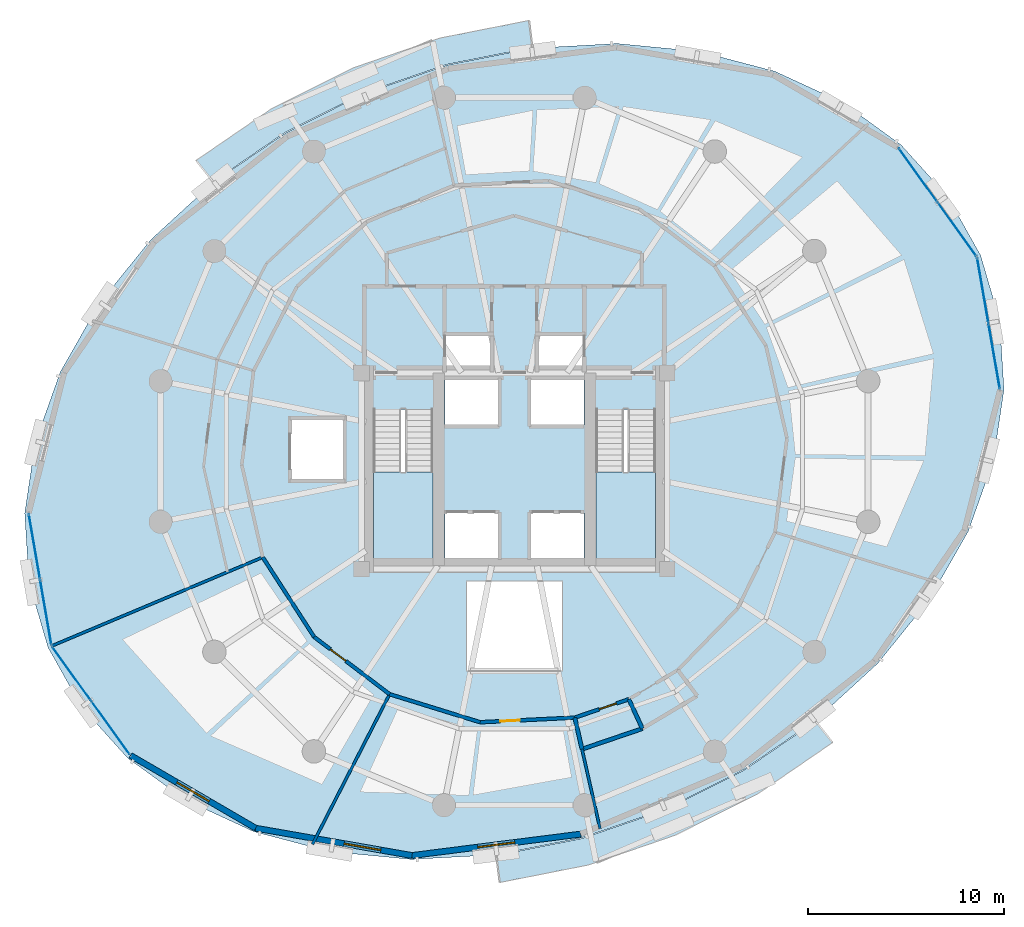
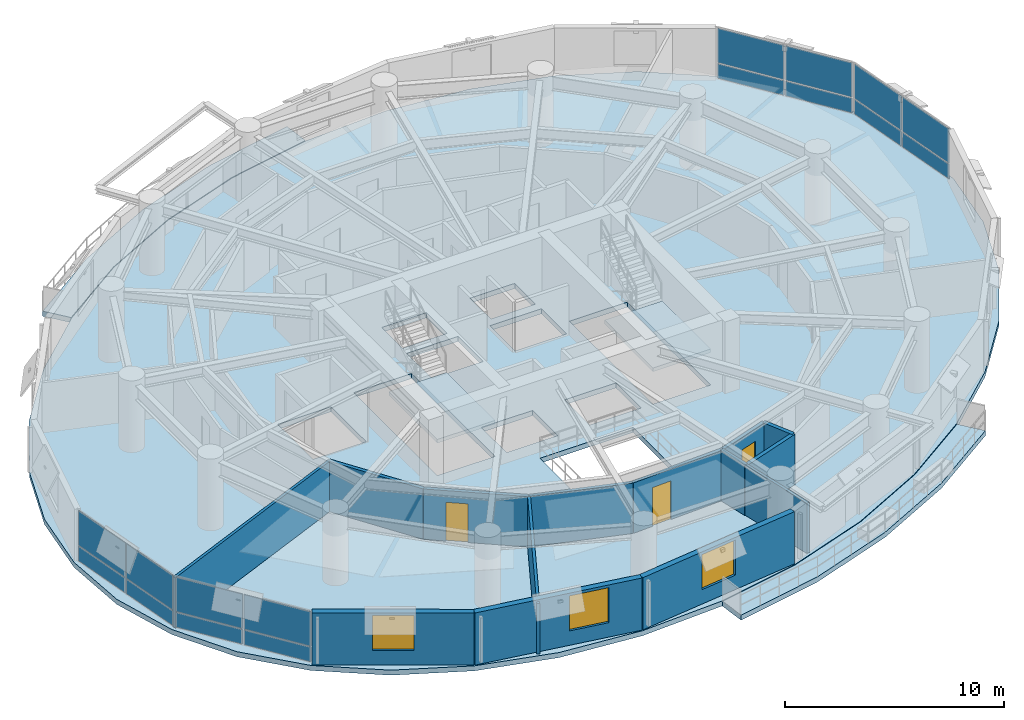
# One storey, part 9 of 14: 16 plates, 14 walls, 5 slabs, 3 doors, 3 windows, 6 openings, 6 elements without a shape of their own.
"""IFC4 building model written with IfcOpenShell, lengths in metres."""

from ifc_helpers import new_model, si_unit, direction, frame, frame_2d, origin, origin_2d, place, context, subcontext, project, spatial, polyline, rectangle, outline, extrude, material, layer, layer_set, type_object, element, fill, aggregate, save


model = new_model("IFC4")

# Units and contexts
model_context = context("Model", 3, precision=1e-05, world=origin(), true_north=direction((0.0, 1.0)))
body_context = subcontext(model_context, "Body", "Model", "MODEL_VIEW")
ifc_project = project(units=[si_unit("LENGTHUNIT", "METRE"), si_unit("AREAUNIT", "SQUARE_METRE"), si_unit("VOLUMEUNIT", "CUBIC_METRE"), si_unit("PLANEANGLEUNIT", "RADIAN"), si_unit("MASSUNIT", "GRAM", prefix="KILO"), si_unit("THERMODYNAMICTEMPERATUREUNIT", "KELVIN"), si_unit("POWERUNIT", "WATT")], contexts=[model_context])

# Site, building, storey
site_placement = place(None, origin())
site = spatial("IfcSite", under=ifc_project, at=site_placement, CompositionType="ELEMENT")
building_placement = place(site_placement, origin())
building = spatial("IfcBuilding", under=site, at=building_placement, Name="Ocrelia Relay Tower", CompositionType="ELEMENT")
storey_placement = place(building_placement, frame((0.0, 0.0, 129.800048828125)))
storey = spatial("IfcBuildingStorey", under=building, at=storey_placement, Name="L30", CompositionType="ELEMENT", Elevation=129.800048828125)

# Curtain wall, plates
ifc_material_1 = material(Name="Aluminium and solar-control low-E glass", Category="aluminium")
ifc_layer_1 = layer(ifc_material_1, 0.179931640625, Name="Aluminium and solar-control low-E glass")
ifc_layer_set_1 = layer_set([ifc_layer_1], Name="Aluminium and solar-control low-E glass")
curtain_wall_type = type_object("IfcCurtainWallType", Name="CW-SYS-Z2-SWIT", PredefinedType="NOTDEFINED", material=ifc_layer_set_1)
curtain_wall_1_placement = place(storey_placement, origin())
curtain_wall_1 = element("IfcCurtainWall", 1, at=curtain_wall_1_placement, inside=storey, type_object=curtain_wall_type, Name="L30 Elliptical Tower Curtain Wall Bay 01", PredefinedType="NOTDEFINED")
ifc_material_2 = material(Name="Clear double-glazed low-E glass", Category="glass")
ifc_layer_2 = layer(ifc_material_2, 0.031982421875, Name="Clear double-glazed low-E glass")
ifc_layer_set_2 = layer_set([ifc_layer_2], Name="Clear double-glazed low-E glass")
plate_type = type_object("IfcPlateType", Name="CW-SYS-Z2-SWIT-PNL", PredefinedType="CURTAIN_PANEL", material=ifc_layer_set_2)
plate_1_placement = place(storey_placement, frame((56.584228515625, 37.330078125, 0.059814453125), z_axis=(0.0, 0.0, 1.0), x_axis=(-0.58452681603, 0.811374390366, 0.0)))
plate_1 = element("IfcPlate", 2, at=plate_1_placement, type_object=plate_type, Name="CW-Z2 panel 1.1", PredefinedType="CURTAIN_PANEL", context=body_context, shape_type="SweptSolid", body=[
    extrude(rectangle(XDim=3.33447265625, YDim=0.031982421875, at=origin_2d()), origin(), (0.0, 0.0, 1.0), 0.81005859375),
])
plate_2_placement = place(storey_placement, frame((56.584228515625, 37.330078125, 0.93017578125), z_axis=(0.0, 0.0, 1.0), x_axis=(-0.58452681603, 0.811374390366, 0.0)))
plate_2 = element("IfcPlate", 3, at=plate_2_placement, type_object=plate_type, Name="CW-Z2 panel 1.2", PredefinedType="CURTAIN_PANEL", context=body_context, shape_type="SweptSolid", body=[
    extrude(rectangle(XDim=3.33447265625, YDim=0.031982421875, at=origin_2d()), origin(), (0.0, 0.0, 1.0), 1.909912109375),
])
plate_3_placement = place(storey_placement, frame((54.59423828125, 40.09228515625, 0.059814453125), z_axis=(0.0, 0.0, 1.0), x_axis=(-0.58452681603, 0.811374390366, 0.0)))
plate_3 = element("IfcPlate", 4, at=plate_3_placement, type_object=plate_type, Name="CW-Z2 panel 2.1", PredefinedType="CURTAIN_PANEL", context=body_context, shape_type="SweptSolid", body=[
    extrude(rectangle(XDim=3.33447265625, YDim=0.031982421875, at=origin_2d()), origin(), (0.0, 0.0, 1.0), 0.81005859375),
])
plate_4_placement = place(storey_placement, frame((54.59423828125, 40.09228515625, 0.93017578125), z_axis=(0.0, 0.0, 1.0), x_axis=(-0.58452681603, 0.811374390366, 0.0)))
plate_4 = element("IfcPlate", 5, at=plate_4_placement, type_object=plate_type, Name="CW-Z2 panel 2.2", PredefinedType="CURTAIN_PANEL", context=body_context, shape_type="SweptSolid", body=[
    extrude(rectangle(XDim=3.33447265625, YDim=0.031982421875, at=origin_2d()), origin(), (0.0, 0.0, 1.0), 1.909912109375),
])
aggregate(curtain_wall_1, [plate_1, plate_2, plate_3, plate_4])

curtain_wall_2_placement = place(storey_placement, origin())
curtain_wall_2 = element("IfcCurtainWall", 6, at=curtain_wall_2_placement, inside=storey, type_object=curtain_wall_type, Name="L30 Elliptical Tower Curtain Wall Bay 09", PredefinedType="NOTDEFINED")
plate_5_placement = place(storey_placement, frame((9.5224609375, 21.14599609375, 0.059814453125), z_axis=(0.0, 0.0, 1.0), x_axis=(0.170734411981, -0.985317086306, 0.0)))
plate_5 = element("IfcPlate", 7, at=plate_5_placement, type_object=plate_type, Name="CW-Z2 panel 1.1", PredefinedType="CURTAIN_PANEL", context=body_context, shape_type="SweptSolid", body=[
    extrude(rectangle(XDim=3.33447265625, YDim=0.031982421875, at=origin_2d()), origin(), (0.0, 0.0, 1.0), 0.81005859375),
])
plate_6_placement = place(storey_placement, frame((9.5224609375, 21.14599609375, 0.93017578125), z_axis=(0.0, 0.0, 1.0), x_axis=(0.170734411981, -0.985317086306, 0.0)))
plate_6 = element("IfcPlate", 8, at=plate_6_placement, type_object=plate_type, Name="CW-Z2 panel 1.2", PredefinedType="CURTAIN_PANEL", context=body_context, shape_type="SweptSolid", body=[
    extrude(rectangle(XDim=3.33447265625, YDim=0.031982421875, at=origin_2d()), origin(), (0.0, 0.0, 1.0), 1.909912109375),
])
plate_7_placement = place(storey_placement, frame((10.103759765625, 17.791259765625, 0.059814453125), z_axis=(0.0, 0.0, 1.0), x_axis=(0.170734411981, -0.985317086306, 0.0)))
plate_7 = element("IfcPlate", 9, at=plate_7_placement, type_object=plate_type, Name="CW-Z2 panel 2.1", PredefinedType="CURTAIN_PANEL", context=body_context, shape_type="SweptSolid", body=[
    extrude(rectangle(XDim=3.33447265625, YDim=0.031982421875, at=origin_2d()), origin(), (0.0, 0.0, 1.0), 0.81005859375),
])
plate_8_placement = place(storey_placement, frame((10.103759765625, 17.791259765625, 0.93017578125), z_axis=(0.0, 0.0, 1.0), x_axis=(0.170734411981, -0.985317086306, 0.0)))
plate_8 = element("IfcPlate", 10, at=plate_8_placement, type_object=plate_type, Name="CW-Z2 panel 2.2", PredefinedType="CURTAIN_PANEL", context=body_context, shape_type="SweptSolid", body=[
    extrude(rectangle(XDim=3.33447265625, YDim=0.031982421875, at=origin_2d()), origin(), (0.0, 0.0, 1.0), 1.909912109375),
])
aggregate(curtain_wall_2, [plate_5, plate_6, plate_7, plate_8])

curtain_wall_3_placement = place(storey_placement, origin())
curtain_wall_3 = element("IfcCurtainWall", 11, at=curtain_wall_3_placement, inside=storey, type_object=curtain_wall_type, Name="L30 Elliptical Tower Curtain Wall Bay 10", PredefinedType="NOTDEFINED")
plate_9_placement = place(storey_placement, frame((11.415771484375, 14.669921875, 0.059814453125), z_axis=(0.0, 0.0, 1.0), x_axis=(0.58452681603, -0.811374390366, 0.0)))
plate_9 = element("IfcPlate", 12, at=plate_9_placement, type_object=plate_type, Name="CW-Z2 panel 1.1", PredefinedType="CURTAIN_PANEL", context=body_context, shape_type="SweptSolid", body=[
    extrude(rectangle(XDim=3.33447265625, YDim=0.031982421875, at=origin_2d()), origin(), (0.0, 0.0, 1.0), 0.81005859375),
])
plate_10_placement = place(storey_placement, frame((11.415771484375, 14.669921875, 0.93017578125), z_axis=(0.0, 0.0, 1.0), x_axis=(0.58452681603, -0.811374390366, 0.0)))
plate_10 = element("IfcPlate", 13, at=plate_10_placement, type_object=plate_type, Name="CW-Z2 panel 1.2", PredefinedType="CURTAIN_PANEL", context=body_context, shape_type="SweptSolid", body=[
    extrude(rectangle(XDim=3.33447265625, YDim=0.031982421875, at=origin_2d()), origin(), (0.0, 0.0, 1.0), 1.909912109375),
])
plate_11_placement = place(storey_placement, frame((13.40576171875, 11.90771484375, 0.059814453125), z_axis=(0.0, 0.0, 1.0), x_axis=(0.58452681603, -0.811374390366, 0.0)))
plate_11 = element("IfcPlate", 14, at=plate_11_placement, type_object=plate_type, Name="CW-Z2 panel 2.1", PredefinedType="CURTAIN_PANEL", context=body_context, shape_type="SweptSolid", body=[
    extrude(rectangle(XDim=3.33447265625, YDim=0.031982421875, at=origin_2d()), origin(), (0.0, 0.0, 1.0), 0.81005859375),
])
plate_12_placement = place(storey_placement, frame((13.40576171875, 11.90771484375, 0.93017578125), z_axis=(0.0, 0.0, 1.0), x_axis=(0.58452681603, -0.811374390366, 0.0)))
plate_12 = element("IfcPlate", 15, at=plate_12_placement, type_object=plate_type, Name="CW-Z2 panel 2.2", PredefinedType="CURTAIN_PANEL", context=body_context, shape_type="SweptSolid", body=[
    extrude(rectangle(XDim=3.33447265625, YDim=0.031982421875, at=origin_2d()), origin(), (0.0, 0.0, 1.0), 1.909912109375),
])
aggregate(curtain_wall_3, [plate_9, plate_10, plate_11, plate_12])

curtain_wall_4_placement = place(storey_placement, origin())
curtain_wall_4 = element("IfcCurtainWall", 16, at=curtain_wall_4_placement, inside=storey, type_object=curtain_wall_type, Name="L30 Elliptical Tower Curtain Wall Bay 18", PredefinedType="NOTDEFINED")
plate_13_placement = place(storey_placement, frame((58.4775390625, 30.85400390625, 0.059814453125), z_axis=(0.0, 0.0, 1.0), x_axis=(-0.170734411981, 0.985317086306, 0.0)))
plate_13 = element("IfcPlate", 17, at=plate_13_placement, type_object=plate_type, Name="CW-Z2 panel 1.1", PredefinedType="CURTAIN_PANEL", context=body_context, shape_type="SweptSolid", body=[
    extrude(rectangle(XDim=3.33447265625, YDim=0.031982421875, at=origin_2d()), origin(), (0.0, 0.0, 1.0), 0.81005859375),
])
plate_14_placement = place(storey_placement, frame((58.4775390625, 30.85400390625, 0.93017578125), z_axis=(0.0, 0.0, 1.0), x_axis=(-0.170734411981, 0.985317086306, 0.0)))
plate_14 = element("IfcPlate", 18, at=plate_14_placement, type_object=plate_type, Name="CW-Z2 panel 1.2", PredefinedType="CURTAIN_PANEL", context=body_context, shape_type="SweptSolid", body=[
    extrude(rectangle(XDim=3.33447265625, YDim=0.031982421875, at=origin_2d()), origin(), (0.0, 0.0, 1.0), 1.909912109375),
])
plate_15_placement = place(storey_placement, frame((57.896240234375, 34.208740234375, 0.059814453125), z_axis=(0.0, 0.0, 1.0), x_axis=(-0.170734411981, 0.985317086306, 0.0)))
plate_15 = element("IfcPlate", 19, at=plate_15_placement, type_object=plate_type, Name="CW-Z2 panel 2.1", PredefinedType="CURTAIN_PANEL", context=body_context, shape_type="SweptSolid", body=[
    extrude(rectangle(XDim=3.33447265625, YDim=0.031982421875, at=origin_2d()), origin(), (0.0, 0.0, 1.0), 0.81005859375),
])
plate_16_placement = place(storey_placement, frame((57.896240234375, 34.208740234375, 0.93017578125), z_axis=(0.0, 0.0, 1.0), x_axis=(-0.170734411981, 0.985317086306, 0.0)))
plate_16 = element("IfcPlate", 20, at=plate_16_placement, type_object=plate_type, Name="CW-Z2 panel 2.2", PredefinedType="CURTAIN_PANEL", context=body_context, shape_type="SweptSolid", body=[
    extrude(rectangle(XDim=3.33447265625, YDim=0.031982421875, at=origin_2d()), origin(), (0.0, 0.0, 1.0), 1.909912109375),
])
aggregate(curtain_wall_4, [plate_13, plate_14, plate_15, plate_16])

# Slabs
ifc_material_3 = material(Name="Precast concrete C40/50", Category="concrete")
ifc_layer_3 = layer(ifc_material_3, 0.280029296875, Name="Precast concrete C40/50")
ifc_layer_set_3 = layer_set([ifc_layer_3], Name="Precast concrete C40/50")
slab_type_1 = type_object("IfcSlabType", Name="SL-BALC-280", PredefinedType="FLOOR", material=ifc_layer_set_3)
slab_1_placement = place(storey_placement, frame((0.0, 0.0, -0.280029296875)))
element("IfcSlab", 21, at=slab_1_placement, inside=storey, type_object=slab_type_1, Name="L30 Planted Loggia Balcony B1", PredefinedType="FLOOR", context=body_context, shape_type="SweptSolid", body=[
    extrude(outline(polyline([(34.9208984375, 46.601318359375), (32.743408203125, 46.1708984375), (30.56591796875, 45.74072265625), (26.3154296875, 44.280517578125), (22.29833984375, 42.265380859375), (20.467529296875, 41.0107421875), (18.63671875, 39.756103515625), (17.77001953125, 40.847412109375), (19.680419921875, 42.156494140625), (21.5908203125, 43.46533203125), (25.775634765625, 45.56494140625), (30.203857421875, 47.0859375), (32.4755859375, 47.534912109375), (34.747314453125, 47.984130859375), (34.9208984375, 46.601318359375)])), origin(), (0.0, 0.0, 1.0), 0.280029296875),
])
slab_2_placement = place(storey_placement, frame((0.0, 0.0, -0.280029296875)))
element("IfcSlab", 22, at=slab_2_placement, inside=storey, type_object=slab_type_1, Name="L30 Planted Loggia Balcony B2", PredefinedType="FLOOR", context=body_context, shape_type="SweptSolid", body=[
    extrude(outline(polyline([(33.0791015625, 5.398681640625), (35.256591796875, 5.828857421875), (37.43408203125, 6.25927734375), (41.6845703125, 7.719482421875), (45.70166015625, 9.734619140625), (47.532470703125, 10.9892578125), (49.36328125, 12.243896484375), (50.22998046875, 11.152587890625), (48.319580078125, 9.843505859375), (46.4091796875, 8.53466796875), (42.224365234375, 6.43505859375), (37.796142578125, 4.9140625), (35.5244140625, 4.46484375), (33.252685546875, 4.015869140625), (33.0791015625, 5.398681640625)])), origin(), (0.0, 0.0, 1.0), 0.280029296875),
])
ifc_material_4 = material(Name="Concrete C50/60", Category="concrete")
ifc_layer_4 = layer(ifc_material_4, 0.280029296875, Name="Concrete C50/60")
ifc_layer_set_4 = layer_set([ifc_layer_4], Name="Concrete C50/60")
slab_type_2 = type_object("IfcSlabType", Name="SL-FLR-280", PredefinedType="FLOOR", material=ifc_layer_set_4)
slab_3_placement = place(storey_placement, frame((0.0, 0.0, -0.280029296875)))
element("IfcSlab", 23, at=slab_3_placement, inside=storey, type_object=slab_type_2, Name="L30 Elliptical Tower Floor Slab", PredefinedType="FLOOR", context=body_context, shape_type="SweptSolid", body=[
    extrude(outline(polyline([(57.7841796875, 35.997802734375), (56.09033203125, 39.015625), (53.7255859375, 41.6376953125), (50.76123046875, 43.784912109375), (47.28759765625, 45.3916015625), (43.410400390625, 46.4091796875), (39.247314453125, 46.806396484375), (34.924560546875, 46.571533203125), (30.57373046875, 45.711669921875), (26.3271484375, 44.2529296875), (22.313720703125, 42.239501953125), (18.6552734375, 39.732666015625), (15.463134765625, 36.80859375), (12.834228515625, 33.555908203125), (10.848388671875, 30.073974609375), (9.56591796875, 26.468017578125), (9.02587890625, 22.847900390625), (9.244873046875, 19.323486328125), (10.2158203125, 16.002197265625), (11.90966796875, 12.984375), (14.2744140625, 10.3623046875), (17.23876953125, 8.215087890625), (20.71240234375, 6.6083984375), (24.589599609375, 5.5908203125), (28.752685546875, 5.193603515625), (33.075439453125, 5.428466796875), (37.42626953125, 6.288330078125), (41.6728515625, 7.7470703125), (45.686279296875, 9.760498046875), (49.3447265625, 12.267333984375), (52.536865234375, 15.19140625), (55.165771484375, 18.444091796875), (57.151611328125, 21.926025390625), (58.43408203125, 25.531982421875), (58.97412109375, 29.152099609375), (58.755126953125, 32.676513671875), (57.7841796875, 35.997802734375)]), holes=[polyline([(26.81005859375, 28.14990234375), (26.81005859375, 20.550048828125), (29.85009765625, 20.550048828125), (29.85009765625, 28.14990234375), (26.81005859375, 28.14990234375)]), polyline([(38.159912109375, 28.14990234375), (38.159912109375, 20.550048828125), (41.199951171875, 20.550048828125), (41.199951171875, 28.14990234375), (38.159912109375, 28.14990234375)]), polyline([(30.4599609375, 20.550048828125), (33.159912109375, 20.550048828125), (33.159912109375, 22.85009765625), (30.4599609375, 22.85009765625), (30.4599609375, 20.550048828125)]), polyline([(34.840087890625, 20.550048828125), (37.5400390625, 20.550048828125), (37.5400390625, 22.85009765625), (34.840087890625, 22.85009765625), (34.840087890625, 20.550048828125)]), polyline([(30.4599609375, 27.35009765625), (33.159912109375, 27.35009765625), (33.159912109375, 29.64990234375), (30.4599609375, 29.64990234375), (30.4599609375, 27.35009765625)]), polyline([(34.840087890625, 27.35009765625), (37.5400390625, 27.35009765625), (37.5400390625, 29.64990234375), (34.840087890625, 29.64990234375), (34.840087890625, 27.35009765625)]), polyline([(30.5, 30.10009765625), (32.85009765625, 30.10009765625), (32.85009765625, 32.0), (30.5, 32.0), (30.5, 30.10009765625)]), polyline([(35.14990234375, 30.10009765625), (37.5, 30.10009765625), (37.5, 32.0), (35.14990234375, 32.0), (35.14990234375, 30.10009765625)]), polyline([(22.550048828125, 24.5), (25.35009765625, 24.5), (25.35009765625, 27.699951171875), (22.550048828125, 27.699951171875), (22.550048828125, 24.5)]), polyline([(31.550048828125, 14.800048828125), (36.449951171875, 14.800048828125), (36.449951171875, 19.39990234375), (31.550048828125, 19.39990234375), (31.550048828125, 14.800048828125)])]), origin(), (0.0, 0.0, 1.0), 0.280029296875),
])

# Stair, slab
stair_type = type_object("IfcStairType", Name="ST-DL-1420-R167", PredefinedType="HALF_TURN_STAIR", material=ifc_material_4)
stair_1_placement = place(storey_placement, origin())
stair_1 = element("IfcStair", 24, at=stair_1_placement, inside=storey, type_object=stair_type, Name="L30 West Core Exit Stair ST1", PredefinedType="HALF_TURN_STAIR")
ifc_layer_5 = layer(ifc_material_4, 0.199951171875, Name="Concrete C50/60")
ifc_layer_set_5 = layer_set([ifc_layer_5], Name="Concrete C50/60")
slab_type_3 = type_object("IfcSlabType", Name="SL-LANDING-200", PredefinedType="LANDING", material=ifc_layer_set_5)
slab_4_placement = place(storey_placement, frame((0.0, 0.0, 1.800048828125)))
slab_4 = element("IfcSlab", 25, at=slab_4_placement, type_object=slab_type_3, Name="ST1 landing 1", PredefinedType="LANDING", context=body_context, shape_type="SweptSolid", body=[
    extrude(outline(polyline([(26.81005859375, 24.9599609375), (26.81005859375, 20.550048828125), (29.85009765625, 20.550048828125), (29.85009765625, 24.9599609375), (26.81005859375, 24.9599609375)])), origin(), (0.0, 0.0, 1.0), 0.199951171875),
])
aggregate(stair_1, [slab_4])

stair_2_placement = place(storey_placement, origin())
stair_2 = element("IfcStair", 26, at=stair_2_placement, inside=storey, type_object=stair_type, Name="L30 East Core Exit Stair ST2", PredefinedType="HALF_TURN_STAIR")
slab_5_placement = place(storey_placement, frame((0.0, 0.0, 1.800048828125)))
slab_5 = element("IfcSlab", 27, at=slab_5_placement, type_object=slab_type_3, Name="ST2 landing 1", PredefinedType="LANDING", context=body_context, shape_type="SweptSolid", body=[
    extrude(outline(polyline([(38.159912109375, 24.9599609375), (38.159912109375, 20.550048828125), (41.199951171875, 20.550048828125), (41.199951171875, 24.9599609375), (38.159912109375, 24.9599609375)])), origin(), (0.0, 0.0, 1.0), 0.199951171875),
])
aggregate(stair_2, [slab_5])

# Wall, opening, door
ifc_material_5 = material(Name="Gypsum Fireboard Partition EI60", Category="gypsum")
ifc_layer_6 = layer(ifc_material_5, 0.179931640625, Name="Gypsum Fireboard Partition EI60")
ifc_layer_set_6 = layer_set([ifc_layer_6], Name="Gypsum Fireboard Partition EI60")
wall_type_1 = type_object("IfcWallType", Name="W-CORR-EI60-180", PredefinedType="PARTITIONING", material=ifc_layer_set_6)
wall_1_placement = place(storey_placement, frame((37.083984375, 12.42578125, 0.0), z_axis=(0.0, 0.0, 1.0), x_axis=(0.946633568931, 0.322311784104, 0.0)))
wall_1 = element("IfcWall", 28, at=wall_1_placement, inside=storey, type_object=wall_type_1, Name="L30 Staff Toilet Corridor Wall", PredefinedType="PARTITIONING", context=body_context, shape_type="SweptSolid", body=[
    extrude(rectangle(XDim=2.91015625, YDim=0.179931640625, at=frame_2d((1.455078125, 0.0))), origin(), (0.0, 0.0, 1.0), 2.800048828125),
])
opening_1_placement = place(wall_1_placement, frame((1.321044921875, 0.0, 0.0)))
opening_1 = element("IfcOpeningElement", 29, at=opening_1_placement, cuts=wall_1, Name="Opening D-WC92", PredefinedType="OPENING", context=body_context, shape_type="SweptSolid", body=[
    extrude(rectangle(XDim=0.919921875, YDim=2.10009765625, at=frame_2d((0.4599609375, 1.050048828125))), frame((0.0, 0.10009765625, 0.0), z_axis=(0.0, -1.0, 0.0), x_axis=(1.0, 0.0, 0.0)), (0.0, 0.0, 1.0), 0.199951171875),
])
ifc_material_6 = material(Name="Laminate washroom door", Category="wood")
door_type_1 = type_object("IfcDoorType", Name="DR-WC-920", OperationType="NOTDEFINED", PredefinedType="DOOR", material=ifc_material_6)
door_1_placement = place(opening_1_placement, origin())
door_1 = element("IfcDoor", 30, at=door_1_placement, inside=storey, type_object=door_type_1, Name="L30 Staff Toilet Door", OperationType="SINGLE_SWING_RIGHT", OverallHeight=2.10009765625, OverallWidth=0.919921875, PredefinedType="DOOR", context=body_context, shape_type="SweptSolid", body=[
    extrude(rectangle(XDim=0.919921875, YDim=2.10009765625, at=frame_2d((0.4599609375, 1.050048828125))), frame((0.0, 0.02490234375, 0.0), z_axis=(0.0, -1.0, 0.0), x_axis=(1.0, 0.0, 0.0)), (0.0, 0.0, 1.0), 0.050048828125),
])
fill(opening_1, door_1)

# Wall
wall_2_placement = place(storey_placement, frame((21.167724609375, 20.605712890625, 0.0), z_axis=(0.0, 0.0, 1.0), x_axis=(0.541732258193, -0.840551105188, 0.0)))
element("IfcWall", 31, at=wall_2_placement, inside=storey, type_object=wall_type_1, Name="L30 Carrier Operations Office Corridor Partition 1", PredefinedType="PARTITIONING", context=body_context, shape_type="SweptSolid", body=[
    extrude(rectangle(XDim=4.834228515625, YDim=0.179931640625, at=frame_2d((2.4169921875, 0.0))), origin(), (0.0, 0.0, 1.0), 2.800048828125),
])

# Wall, opening, door
wall_3_placement = place(storey_placement, frame((23.78662109375, 16.542236328125, 0.0), z_axis=(0.0, 0.0, 1.0), x_axis=(0.796520179577, -0.604611944579, 0.0)))
wall_3 = element("IfcWall", 32, at=wall_3_placement, inside=storey, type_object=wall_type_1, Name="L30 Carrier Operations Office Corridor Partition 2", PredefinedType="PARTITIONING", context=body_context, shape_type="SweptSolid", body=[
    extrude(rectangle(XDim=4.834228515625, YDim=0.179931640625, at=frame_2d((2.4169921875, 0.0))), origin(), (0.0, 0.0, 1.0), 2.800048828125),
])
opening_2_placement = place(wall_3_placement, frame((1.03369140625, 0.0, 0.0)))
opening_2 = element("IfcOpeningElement", 33, at=opening_2_placement, cuts=wall_3, Name="Opening D-RM100", PredefinedType="OPENING", context=body_context, shape_type="SweptSolid", body=[
    extrude(rectangle(XDim=1.0, YDim=2.14990234375, at=frame_2d((0.5, 1.074951171875))), frame((0.0, 0.10009765625, 0.0), z_axis=(0.0, -1.0, 0.0), x_axis=(1.0, 0.0, 0.0)), (0.0, 0.0, 1.0), 0.199951171875),
])
ifc_material_7 = material(Name="Acoustic oak veneer fire door", Category="wood")
door_type_2 = type_object("IfcDoorType", Name="DR-ROOM-FD60-1000", OperationType="NOTDEFINED", PredefinedType="DOOR", material=ifc_material_7)
door_2_placement = place(opening_2_placement, origin())
door_2 = element("IfcDoor", 34, at=door_2_placement, inside=storey, type_object=door_type_2, Name="L30 Carrier Operations Office Entrance Door", OperationType="SINGLE_SWING_LEFT", OverallHeight=2.14990234375, OverallWidth=1.0, PredefinedType="DOOR", context=body_context, shape_type="SweptSolid", body=[
    extrude(rectangle(XDim=1.0, YDim=2.14990234375, at=frame_2d((0.5, 1.074951171875))), frame((0.0, 0.02490234375, 0.0), z_axis=(0.0, -1.0, 0.0), x_axis=(1.0, 0.0, 0.0)), (0.0, 0.0, 1.0), 0.050048828125),
])
fill(opening_2, door_2)

# Wall
wall_4_placement = place(storey_placement, frame((27.63720703125, 13.619384765625, 0.0), z_axis=(0.0, 0.0, 1.0), x_axis=(0.955270945658, -0.295732007706, 0.0)))
element("IfcWall", 35, at=wall_4_placement, inside=storey, type_object=wall_type_1, Name="L30 Optical Telemetry Studio Corridor Partition 1", PredefinedType="PARTITIONING", context=body_context, shape_type="SweptSolid", body=[
    extrude(rectangle(XDim=4.83447265625, YDim=0.179931640625, at=frame_2d((2.417236328125, 0.0))), origin(), (0.0, 0.0, 1.0), 2.800048828125),
])

# Wall, opening, door
wall_5_placement = place(storey_placement, frame((32.25537109375, 12.189697265625, 0.0), z_axis=(0.0, 0.0, 1.0), x_axis=(0.998806890168, 0.048834374699, 0.0)))
wall_5 = element("IfcWall", 36, at=wall_5_placement, inside=storey, type_object=wall_type_1, Name="L30 Optical Telemetry Studio Corridor Partition 2", PredefinedType="PARTITIONING", context=body_context, shape_type="SweptSolid", body=[
    extrude(rectangle(XDim=4.83447265625, YDim=0.179931640625, at=frame_2d((2.417236328125, 0.0))), origin(), (0.0, 0.0, 1.0), 2.800048828125),
])
opening_3_placement = place(wall_5_placement, frame((1.03369140625, 0.0, 0.0)))
opening_3 = element("IfcOpeningElement", 37, at=opening_3_placement, cuts=wall_5, Name="Opening D-RM100", PredefinedType="OPENING", context=body_context, shape_type="SweptSolid", body=[
    extrude(rectangle(XDim=1.0, YDim=2.14990234375, at=frame_2d((0.5, 1.074951171875))), frame((0.0, 0.10009765625, 0.0), z_axis=(0.0, -1.0, 0.0), x_axis=(1.0, 0.0, 0.0)), (0.0, 0.0, 1.0), 0.199951171875),
])
door_3_placement = place(opening_3_placement, origin())
door_3 = element("IfcDoor", 38, at=door_3_placement, inside=storey, type_object=door_type_2, Name="L30 Optical Telemetry Studio Entrance Door", OperationType="SINGLE_SWING_RIGHT", OverallHeight=2.14990234375, OverallWidth=1.0, PredefinedType="DOOR", context=body_context, shape_type="SweptSolid", body=[
    extrude(rectangle(XDim=1.0, YDim=2.14990234375, at=frame_2d((0.5, 1.074951171875))), frame((0.0, 0.02490234375, 0.0), z_axis=(0.0, -1.0, 0.0), x_axis=(1.0, 0.0, 0.0)), (0.0, 0.0, 1.0), 0.050048828125),
])
fill(opening_3, door_3)

# Wall, opening, window
ifc_material_8 = material(Name="Precast concrete C40/50 with oxide terracotta", Category="masonry")
ifc_layer_7 = layer(ifc_material_8, 0.300048828125, Name="Precast concrete C40/50 with oxide terracotta")
ifc_layer_set_7 = layer_set([ifc_layer_7], Name="Precast concrete C40/50 with oxide terracotta")
wall_type_2 = type_object("IfcWallType", Name="W-EXT-TERR-300", PredefinedType="SOLIDWALL", material=ifc_layer_set_7)
wall_6_placement = place(storey_placement, frame((14.42138671875, 10.498046875, 0.0), z_axis=(0.0, 0.0, 1.0), x_axis=(0.864447367907, -0.502723331585, 0.0)))
wall_6 = element("IfcWall", 39, at=wall_6_placement, inside=storey, type_object=wall_type_2, Name="L30 Oxide Terracotta Facade Wall 11", PredefinedType="SOLIDWALL", context=body_context, shape_type="SweptSolid", body=[
    extrude(rectangle(XDim=7.383056640625, YDim=0.300048828125, at=frame_2d((3.69140625, 0.0))), origin(), (0.0, 0.0, 1.0), 2.89990234375),
])
opening_4_placement = place(wall_6_placement, frame((2.741943359375, 0.0, 0.800048828125)))
opening_4 = element("IfcOpeningElement", 40, at=opening_4_placement, cuts=wall_6, Name="Opening W-06", PredefinedType="OPENING", context=body_context, shape_type="SweptSolid", body=[
    extrude(rectangle(XDim=1.89990234375, YDim=1.949951171875, at=frame_2d((0.949951171875, 0.97509765625))), frame((0.0, 0.16015625, 0.0), z_axis=(0.0, -1.0, 0.0), x_axis=(1.0, 0.0, 0.0)), (0.0, 0.0, 1.0), 0.320068359375),
])
window_type = type_object("IfcWindowType", Name="WIN-Z2-1900x2100", PartitioningType="DOUBLE_PANEL_VERTICAL", PredefinedType="WINDOW", material=ifc_material_2)
window_1_placement = place(opening_4_placement, origin())
window_1 = element("IfcWindow", 41, at=window_1_placement, inside=storey, type_object=window_type, Name="L30 Facade Module Window 11", OverallHeight=1.949951171875, OverallWidth=1.89990234375, PartitioningType="SINGLE_PANEL", PredefinedType="WINDOW", context=body_context, shape_type="SweptSolid", body=[
    extrude(rectangle(XDim=1.89990234375, YDim=1.949951171875, at=frame_2d((0.949951171875, 0.97509765625))), frame((0.0, 0.030029296875, 0.0), z_axis=(0.0, -1.0, 0.0), x_axis=(1.0, 0.0, 0.0)), (0.0, 0.0, 1.0), 0.06005859375),
])
fill(opening_4, window_1)

wall_7_placement = place(storey_placement, frame((20.8037109375, 6.786376953125, 0.0), z_axis=(0.0, 0.0, 1.0), x_axis=(0.985055293806, -0.172238404964, 0.0)))
wall_7 = element("IfcWall", 42, at=wall_7_placement, inside=storey, type_object=wall_type_2, Name="L30 Oxide Terracotta Facade Wall 12", PredefinedType="SOLIDWALL", context=body_context, shape_type="SweptSolid", body=[
    extrude(rectangle(XDim=8.09521484375, YDim=0.300048828125, at=frame_2d((4.047607421875, 0.0))), origin(), (0.0, 0.0, 1.0), 2.89990234375),
])
opening_5_placement = place(wall_7_placement, frame((4.580078125, 0.0, 0.800048828125)))
opening_5 = element("IfcOpeningElement", 43, at=opening_5_placement, cuts=wall_7, Name="Opening W-06", PredefinedType="OPENING", context=body_context, shape_type="SweptSolid", body=[
    extrude(rectangle(XDim=1.89990234375, YDim=1.949951171875, at=frame_2d((0.949951171875, 0.97509765625))), frame((0.0, 0.16015625, 0.0), z_axis=(0.0, -1.0, 0.0), x_axis=(1.0, 0.0, 0.0)), (0.0, 0.0, 1.0), 0.320068359375),
])
window_2_placement = place(opening_5_placement, origin())
window_2 = element("IfcWindow", 44, at=window_2_placement, inside=storey, type_object=window_type, Name="L30 Facade Module Window 12", OverallHeight=1.949951171875, OverallWidth=1.89990234375, PartitioningType="SINGLE_PANEL", PredefinedType="WINDOW", context=body_context, shape_type="SweptSolid", body=[
    extrude(rectangle(XDim=1.89990234375, YDim=1.949951171875, at=frame_2d((0.949951171875, 0.97509765625))), frame((0.0, 0.030029296875, 0.0), z_axis=(0.0, -1.0, 0.0), x_axis=(1.0, 0.0, 0.0)), (0.0, 0.0, 1.0), 0.06005859375),
])
fill(opening_5, window_2)

wall_8_placement = place(storey_placement, frame((28.77783203125, 5.39208984375, 0.0), z_axis=(0.0, 0.0, 1.0), x_axis=(0.992051922293, 0.12582918372, 0.0)))
wall_8 = element("IfcWall", 45, at=wall_8_placement, inside=storey, type_object=wall_type_2, Name="L30 Oxide Terracotta Facade Wall 13", PredefinedType="SOLIDWALL", context=body_context, shape_type="SweptSolid", body=[
    extrude(rectangle(XDim=8.6728515625, YDim=0.300048828125, at=frame_2d((4.33642578125, 0.0))), origin(), (0.0, 0.0, 1.0), 2.89990234375),
])
opening_6_placement = place(wall_8_placement, frame((3.385986328125, 0.0, 0.800048828125)))
opening_6 = element("IfcOpeningElement", 46, at=opening_6_placement, cuts=wall_8, Name="Opening W-06", PredefinedType="OPENING", context=body_context, shape_type="SweptSolid", body=[
    extrude(rectangle(XDim=1.89990234375, YDim=1.949951171875, at=frame_2d((0.949951171875, 0.97509765625))), frame((0.0, 0.16015625, 0.0), z_axis=(0.0, -1.0, 0.0), x_axis=(1.0, 0.0, 0.0)), (0.0, 0.0, 1.0), 0.320068359375),
])
window_3_placement = place(opening_6_placement, origin())
window_3 = element("IfcWindow", 47, at=window_3_placement, inside=storey, type_object=window_type, Name="L30 Facade Module Window 13", OverallHeight=1.949951171875, OverallWidth=1.89990234375, PartitioningType="SINGLE_PANEL", PredefinedType="WINDOW", context=body_context, shape_type="SweptSolid", body=[
    extrude(rectangle(XDim=1.89990234375, YDim=1.949951171875, at=frame_2d((0.949951171875, 0.97509765625))), frame((0.0, 0.030029296875, 0.0), z_axis=(0.0, -1.0, 0.0), x_axis=(1.0, 0.0, 0.0)), (0.0, 0.0, 1.0), 0.06005859375),
])
fill(opening_6, window_3)

# Walls
ifc_material_9 = material(Name="Acoustic Fireboard Partition EI60", Category="gypsum")
ifc_layer_8 = layer(ifc_material_9, 0.139892578125, Name="Acoustic Fireboard Partition EI60")
ifc_layer_set_8 = layer_set([ifc_layer_8], Name="Acoustic Fireboard Partition EI60")
wall_type_3 = type_object("IfcWallType", Name="W-PART-140", PredefinedType="PARTITIONING", material=ifc_layer_set_8)
wall_9_placement = place(storey_placement, frame((37.449462890625, 10.81689453125, 0.0), z_axis=(0.0, 0.0, 1.0), x_axis=(0.221539804698, -0.975151329248, 0.0)))
element("IfcWall", 48, at=wall_9_placement, inside=storey, type_object=wall_type_3, Name="L30 Fiber Patch Store Radial Partition", PredefinedType="PARTITIONING", context=body_context, shape_type="SweptSolid", body=[
    extrude(rectangle(XDim=4.153564453125, YDim=0.139892578125, at=frame_2d((2.07666015625, 0.0))), origin(), (0.0, 0.0, 1.0), 2.800048828125),
])
wall_10_placement = place(storey_placement, frame((21.167724609375, 20.605712890625, 0.0), z_axis=(0.0, 0.0, 1.0), x_axis=(-0.921864601023, -0.387512138366, 0.0)))
element("IfcWall", 49, at=wall_10_placement, inside=storey, type_object=wall_type_3, Name="L30 Spares Utility Store Radial Partition", PredefinedType="PARTITIONING", context=body_context, shape_type="SweptSolid", body=[
    extrude(rectangle(XDim=11.679931640625, YDim=0.139892578125, at=frame_2d((5.83984375, 0.0))), origin(), (0.0, 0.0, 1.0), 2.800048828125),
])
wall_11_placement = place(storey_placement, frame((27.63720703125, 13.619384765625, 0.0), z_axis=(0.0, 0.0, 1.0), x_axis=(-0.457105027407, -0.889412724172, 0.0)))
element("IfcWall", 50, at=wall_11_placement, inside=storey, type_object=wall_type_3, Name="L30 Carrier Operations Office Radial Partition", PredefinedType="PARTITIONING", context=body_context, shape_type="SweptSolid", body=[
    extrude(rectangle(XDim=8.60498046875, YDim=0.139892578125, at=frame_2d((4.302490234375, 0.0))), origin(), (0.0, 0.0, 1.0), 2.800048828125),
])
ifc_material_10 = material(Name="Moisture-Resistant Fireboard Chase Wall EI60", Category="gypsum")
ifc_layer_9 = layer(ifc_material_10, 0.199951171875, Name="Moisture-Resistant Fireboard Chase Wall EI60")
ifc_layer_set_9 = layer_set([ifc_layer_9], Name="Moisture-Resistant Fireboard Chase Wall EI60")
wall_type_4 = type_object("IfcWallType", Name="W-PLUMB-200", PredefinedType="PLUMBINGWALL", material=ifc_layer_set_9)
for number, where, z_axis, x_axis, name in (
    (51, (37.083984375, 12.42578125, 0.0), (0.0, 0.0, 1.0), (0.221518769862, -0.97515610781, 0.0), "L30 Staff Toilet Plumbing Radial Wall"),
    (52, (39.8388671875, 13.36376953125, 0.0), (0.0, 0.0, 1.0), (0.419480373329, -0.907764405775, 0.0), "L30 Staff Toilet Plumbing Radial Wall"),
):
    element("IfcWall", number, at=place(storey_placement, frame(where, z_axis=z_axis, x_axis=x_axis)), inside=storey, type_object=wall_type_4, Name=name, PredefinedType="PLUMBINGWALL", context=body_context, shape_type="SweptSolid", body=[
        extrude(rectangle(XDim=1.64990234375, YDim=0.199951171875, at=frame_2d((0.824951171875, 0.0))), origin(), (0.0, 0.0, 1.0), 2.800048828125),
    ])
wall_12_placement = place(storey_placement, frame((37.449462890625, 10.81689453125, 0.0), z_axis=(0.0, 0.0, 1.0), x_axis=(0.946646498302, 0.322273807891, 0.0)))
element("IfcWall", 53, at=wall_12_placement, inside=storey, type_object=wall_type_4, Name="L30 Staff Toilet Back Plumbing Wall", PredefinedType="PLUMBINGWALL", context=body_context, shape_type="SweptSolid", body=[
    extrude(rectangle(XDim=3.255126953125, YDim=0.199951171875, at=frame_2d((1.62744140625, 0.0))), origin(), (0.0, 0.0, 1.0), 2.800048828125),
])

save(model, "model.ifc")
